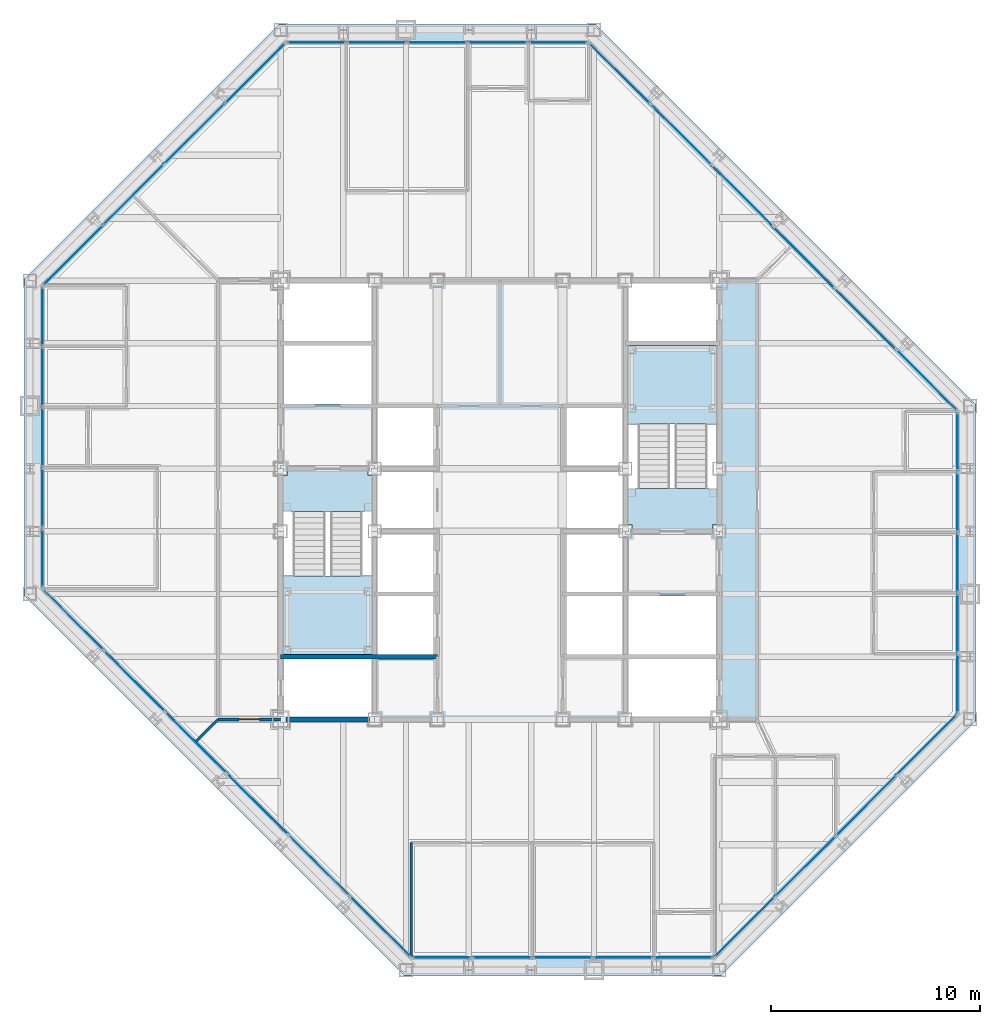
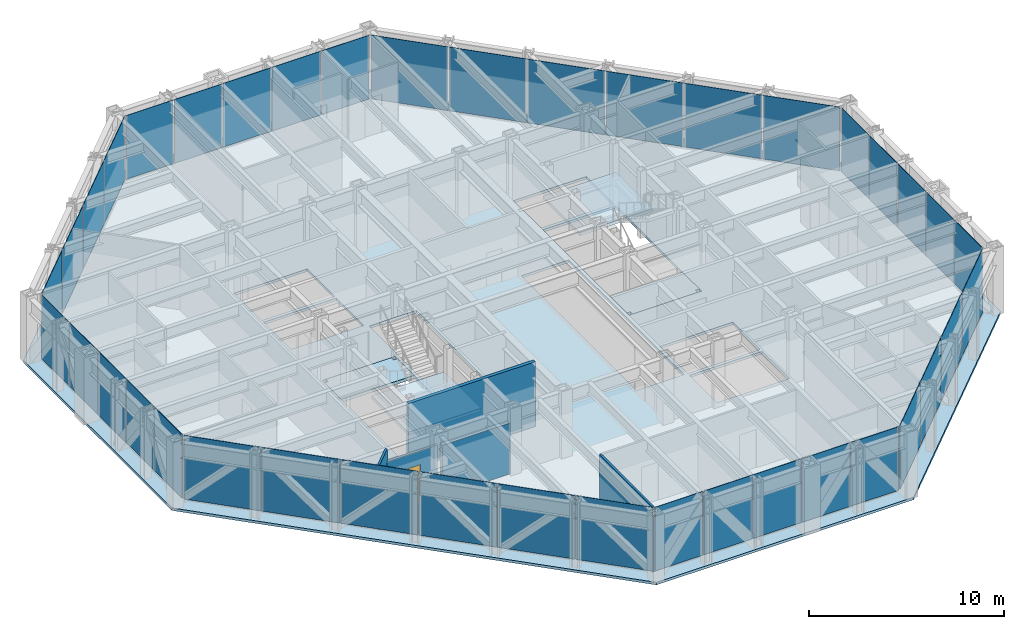
# One storey, part 10 of 16: 40 plates, 5 slabs, 5 walls, 1 door, 1 opening, 10 elements without a shape of their own.
"""IFC4 building model written with IfcOpenShell, lengths in metres."""

import ifcopenshell
import ifcopenshell.guid

model = None  # the IFC model being written
_history = None  # IfcOwnerHistory: only IFC2X3 demands one
_inside = {}  # id of a spatial element -> (the spatial element, [elements in it])
_under = {}  # id of a project, library or spatial element -> (it, [spatial elements below it])
_declared = {}  # id of a project -> (the project, [libraries it declares])
_typed = {}  # id of a type object -> (the type object, [elements of that type])
_made_of = {}  # id of a material, layer set ... -> (it, [elements and type objects made of it])


def new_model(schema):
    """Start an empty IFC model of exactly this schema.

    Asked for "IFC4X3", IfcOpenShell would pick the latest addendum, in which some entities
    have other attributes; the version numbers below select the first issue.
    IFC2X3 requires an IfcOwnerHistory on every rooted entity: one is made here for all.
    """
    global model, _history
    if schema == "IFC4X3":
        model = ifcopenshell.file(schema_version=(4, 3, 0, 0))
    else:
        model = ifcopenshell.file(schema=schema)
    _inside.clear()
    _under.clear()
    _declared.clear()
    _typed.clear()
    _made_of.clear()
    _history = None
    if model.schema == "IFC2X3":
        org = make("IfcOrganization", Name="unknown")
        user = make(
            "IfcPersonAndOrganization",
            ThePerson=make("IfcPerson", FamilyName="unknown"),
            TheOrganization=org,
        )
        app = make(
            "IfcApplication",
            ApplicationDeveloper=org,
            Version="unknown",
            ApplicationFullName="unknown",
            ApplicationIdentifier="unknown",
        )
        _history = make(
            "IfcOwnerHistory",
            OwningUser=user,
            OwningApplication=app,
            ChangeAction="ADDED",
            CreationDate=0,
        )
    return model


def make(cls, **values):
    """One entity of the class cls with the attributes given. An attribute that is None is left unset."""
    return model.create_entity(
        cls, **{name: value for name, value in values.items() if value is not None}
    )


def rooted(cls, **values):
    """An entity with a GlobalId (a new one), such as an element, a storey or a relation."""
    return make(cls, GlobalId=ifcopenshell.guid.new(), OwnerHistory=_history, **values)


def si_unit(unit_type, name, prefix=None):
    """IfcSIUnit, for example si_unit("LENGTHUNIT", "METRE", prefix="MILLI")."""
    return make("IfcSIUnit", UnitType=unit_type, Prefix=prefix, Name=name)


def assignment(units):
    """IfcUnitAssignment: the units of a project."""
    return None if units is None else make("IfcUnitAssignment", Units=units)


def point(xyz):
    """IfcCartesianPoint."""
    return None if xyz is None else make("IfcCartesianPoint", Coordinates=xyz)


def direction(xyz):
    """IfcDirection."""
    return None if xyz is None else make("IfcDirection", DirectionRatios=xyz)


def frame(location, z_axis=None, x_axis=None):
    """IfcAxis2Placement3D, a coordinate frame: its origin and axes. An axis left out is left unset."""
    return make(
        "IfcAxis2Placement3D",
        Location=point(location),
        Axis=direction(z_axis),
        RefDirection=direction(x_axis),
    )


def frame_2d(location, x_axis=None):
    """IfcAxis2Placement2D, a coordinate frame in the plane: its origin and x axis."""
    return make(
        "IfcAxis2Placement2D", Location=point(location), RefDirection=direction(x_axis)
    )


def origin():
    """The frame at (0, 0, 0) with its axes left unset."""
    return frame((0.0, 0.0, 0.0))


def origin_2d():
    """The frame at (0, 0) in the plane with its x axis left unset."""
    return frame_2d((0.0, 0.0))


def place(relative_to, where):
    """IfcLocalPlacement: puts the frame where relative to a parent placement (None: the world)."""
    return make(
        "IfcLocalPlacement", PlacementRelTo=relative_to, RelativePlacement=where
    )


def context(
    kind, dimensions, precision=None, world=None, true_north=None, identifier=None
):
    """IfcGeometricRepresentationContext, for example the 3D "Model" context."""
    return make(
        "IfcGeometricRepresentationContext",
        ContextIdentifier=identifier,
        ContextType=kind,
        CoordinateSpaceDimension=dimensions,
        Precision=precision,
        WorldCoordinateSystem=world,
        TrueNorth=true_north,
    )


def subcontext(parent, identifier, kind, view, scale=None):
    """IfcGeometricRepresentationSubContext, for example "Body" below "Model"."""
    return make(
        "IfcGeometricRepresentationSubContext",
        ContextIdentifier=identifier,
        ContextType=kind,
        ParentContext=parent,
        TargetScale=scale,
        TargetView=view,
    )


def project(units=None, contexts=None):
    """IfcProject with its units and contexts."""
    return rooted(
        "IfcProject",
        Name="project",
        RepresentationContexts=contexts,
        UnitsInContext=assignment(units),
    )


def spatial(cls, under=None, at=None, **own):
    """A site, building, storey or space (cls), placed at a placement, below another one or the project."""
    s = rooted(cls, ObjectPlacement=at, **own)
    if under is not None:
        _under.setdefault(under.id(), (under, []))[1].append(s)
    return s


def polyline(points):
    """IfcPolyline through the points."""
    return make("IfcPolyline", Points=[point(p) for p in points])


def profile(cls, at=None, kind="AREA", **sizes):
    """A parametric profile (cls). Its sizes go by their IFC names, for example OverallWidth=200.0."""
    return make(cls, ProfileType=kind, Position=at, **sizes)


def rectangle(**sizes):
    """IfcRectangleProfileDef."""
    return profile("IfcRectangleProfileDef", **sizes)


def outline(outer, holes=None, kind="AREA"):
    """IfcArbitraryClosedProfileDef: a profile drawn as a closed curve; with holes, ...WithVoids."""
    if holes is None:
        return make("IfcArbitraryClosedProfileDef", ProfileType=kind, OuterCurve=outer)
    return make(
        "IfcArbitraryProfileDefWithVoids",
        ProfileType=kind,
        OuterCurve=outer,
        InnerCurves=holes,
    )


def extrude(swept, where, along, depth):
    """IfcExtrudedAreaSolid: the profile swept, set in the frame where, extruded along a direction by depth."""
    return make(
        "IfcExtrudedAreaSolid",
        SweptArea=swept,
        Position=where,
        ExtrudedDirection=direction(along),
        Depth=depth,
    )


def shape(context_of_items, identifier, shape_type, items):
    """IfcShapeRepresentation: the items that make up one representation, for example the "Body"."""
    return make(
        "IfcShapeRepresentation",
        ContextOfItems=context_of_items,
        RepresentationIdentifier=identifier,
        RepresentationType=shape_type,
        Items=items,
    )


def material(Name=None, Category=None):
    """IfcMaterial."""
    return make("IfcMaterial", Name=Name, Category=Category)


def layer(
    of_material, thickness, ventilated=None, Name=None, Category=None, Priority=None
):
    """IfcMaterialLayer: one layer of a wall or slab, of a material (None: an air gap)."""
    return make(
        "IfcMaterialLayer",
        Material=of_material,
        LayerThickness=thickness,
        IsVentilated=ventilated,
        Name=Name,
        Category=Category,
        Priority=Priority,
    )


def layer_set(layers, Name=None):
    """IfcMaterialLayerSet."""
    return make("IfcMaterialLayerSet", MaterialLayers=layers, LayerSetName=Name)


def made_of(thing, what):
    """Note that an element or type object is made of a material, layer set ...; save() writes the relation."""
    if what is not None:
        _made_of.setdefault(what.id(), (what, []))[1].append(thing)
    return thing


def type_object(cls, material=None, **own):
    """A type object (cls), such as IfcWallType, which elements share."""
    return made_of(rooted(cls, **own), material)


def element(
    cls,
    number,
    at=None,
    inside=None,
    cuts=None,
    type_object=None,
    material=None,
    context=None,
    identifier="Body",
    shape_type=None,
    held_by="IfcProductDefinitionShape",
    body=None,
    shapes=None,
    **own,
):
    """One element of the class cls, such as IfcWall. Its Tag is "e" and its number.

    at: its placement. inside: the storey or other place that contains it. cuts: it is an
    opening in that element (IfcRelVoidsElement). A single representation is given by context,
    identifier, shape_type and body (its items); several are given by shapes. held_by: the class
    of the entity that holds the representations. save() writes the other relations.
    """
    e = rooted(cls, Tag="e%d" % number, ObjectPlacement=at, **own)
    if body is not None:
        shapes = [shape(context, identifier, shape_type, body)]
    if shapes is not None:
        e.Representation = make(held_by, Representations=shapes)
    if inside is not None:
        _inside.setdefault(inside.id(), (inside, []))[1].append(e)
    if cuts is not None:
        rooted(
            "IfcRelVoidsElement", RelatingBuildingElement=cuts, RelatedOpeningElement=e
        )
    if type_object is not None:
        _typed.setdefault(type_object.id(), (type_object, []))[1].append(e)
    return made_of(e, material)


def fill(opening, filler):
    """IfcRelFillsElement: the door or window that sits in an opening."""
    return rooted(
        "IfcRelFillsElement",
        RelatingOpeningElement=opening,
        RelatedBuildingElement=filler,
    )


def aggregate(whole, parts):
    """IfcRelAggregates: a whole, such as a stair, and the parts it consists of."""
    return rooted("IfcRelAggregates", RelatingObject=whole, RelatedObjects=parts)


def save(model, path):
    """Write the relations noted so far, then the file.

    IfcRelAggregates (storeys below a building ...), IfcRelContainedInSpatialStructure (elements
    in a storey), IfcRelDefinesByType, IfcRelAssociatesMaterial and IfcRelDeclares: one each for
    every whole, place, type object, material and project.
    """
    for whole, parts in _under.values():
        aggregate(whole, parts)
    for where, things in _inside.values():
        rooted(
            "IfcRelContainedInSpatialStructure",
            RelatedElements=things,
            RelatingStructure=where,
        )
    for kind, things in _typed.values():
        rooted("IfcRelDefinesByType", RelatedObjects=things, RelatingType=kind)
    for what, things in _made_of.values():
        rooted("IfcRelAssociatesMaterial", RelatedObjects=things, RelatingMaterial=what)
    for by, libraries in _declared.values():
        rooted("IfcRelDeclares", RelatingContext=by, RelatedDefinitions=libraries)
    model.write(path)


model = new_model("IFC4")

# Units and contexts
model_context = context("Model", 3, precision=1e-05, world=origin(), true_north=direction((0.0, 1.0)))
body_context = subcontext(model_context, "Body", "Model", "MODEL_VIEW")
ifc_project = project(units=[si_unit("LENGTHUNIT", "METRE"), si_unit("AREAUNIT", "SQUARE_METRE"), si_unit("VOLUMEUNIT", "CUBIC_METRE"), si_unit("PLANEANGLEUNIT", "RADIAN"), si_unit("MASSUNIT", "GRAM", prefix="KILO")], contexts=[model_context])

# Site, building, storey
site_placement = place(None, origin())
site = spatial("IfcSite", under=ifc_project, at=site_placement, CompositionType="ELEMENT")
building_placement = place(site_placement, origin())
building = spatial("IfcBuilding", under=site, at=building_placement, Name="Chuquiago Exchange Tower", CompositionType="ELEMENT")
storey_placement = place(building_placement, frame((0.0, 0.0, 213.89990234375)))
storey = spatial("IfcBuildingStorey", under=building, at=storey_placement, Name="L47", CompositionType="ELEMENT", Elevation=213.89990234375)

# Curtain wall, plate
ifc_material_1 = material(Name="Aluminium curtain wall system", Category="aluminium")
ifc_layer_1 = layer(ifc_material_1, 0.22509765625)
ifc_layer_set_1 = layer_set([ifc_layer_1], Name="CW2 office curtain wall")
curtain_wall_type_1 = type_object("IfcCurtainWallType", Name="CW2 office curtain wall", PredefinedType="NOTDEFINED", material=ifc_layer_set_1)
curtain_wall_1_placement = place(storey_placement, origin())
curtain_wall_1 = element("IfcCurtainWall", 1, at=curtain_wall_1_placement, inside=storey, type_object=curtain_wall_type_1, Name="CW2 curtain wall L47", PredefinedType="NOTDEFINED")
ifc_material_2 = material(Name="Glass, insulating unit", Category="glass")
ifc_layer_2 = layer(ifc_material_2, 0.030029296875)
ifc_layer_set_2 = layer_set([ifc_layer_2], Name="CW2-P panel 30")
plate_type_1 = type_object("IfcPlateType", Name="CW2-P panel 30", PredefinedType="CURTAIN_PANEL", material=ifc_layer_set_2)
plate_1_placement = place(storey_placement, frame((25.5, 0.60009765625, 0.06494140625), z_axis=(0.0, 0.0, 1.0), x_axis=(1.0, 0.0, 0.0)))
plate_1 = element("IfcPlate", 2, at=plate_1_placement, type_object=plate_type_1, Name="CW2 panel 3.1", PredefinedType="CURTAIN_PANEL", context=body_context, shape_type="SweptSolid", body=[
    extrude(rectangle(XDim=2.835693359375, YDim=0.030029296875, at=origin_2d()), origin(), (0.0, 0.0, 1.0), 3.97509765625),
])

curtain_wall_2_placement = place(storey_placement, origin())
curtain_wall_2 = element("IfcCurtainWall", 3, at=curtain_wall_2_placement, inside=storey, type_object=curtain_wall_type_1, Name="CW2 curtain wall L47", PredefinedType="NOTDEFINED")
plate_2_placement = place(storey_placement, frame((44.39990234375, 19.5, 0.06494140625), z_axis=(0.0, 0.0, 1.0), x_axis=(0.0, 1.0, 0.0)))
plate_2 = element("IfcPlate", 4, at=plate_2_placement, type_object=plate_type_1, Name="CW2 panel 3.1", PredefinedType="CURTAIN_PANEL", context=body_context, shape_type="SweptSolid", body=[
    extrude(rectangle(XDim=2.835693359375, YDim=0.030029296875, at=origin_2d()), origin(), (0.0, 0.0, 1.0), 3.97509765625),
])

curtain_wall_3_placement = place(storey_placement, origin())
curtain_wall_3 = element("IfcCurtainWall", 5, at=curtain_wall_3_placement, inside=storey, type_object=curtain_wall_type_1, Name="CW2 curtain wall L47", PredefinedType="NOTDEFINED")
plate_3_placement = place(storey_placement, frame((19.5, 44.39990234375, 0.06494140625), z_axis=(0.0, 0.0, 1.0), x_axis=(-1.0, 0.0, 0.0)))
plate_3 = element("IfcPlate", 6, at=plate_3_placement, type_object=plate_type_1, Name="CW2 panel 3.1", PredefinedType="CURTAIN_PANEL", context=body_context, shape_type="SweptSolid", body=[
    extrude(rectangle(XDim=2.835693359375, YDim=0.030029296875, at=origin_2d()), origin(), (0.0, 0.0, 1.0), 3.97509765625),
])

curtain_wall_4_placement = place(storey_placement, origin())
curtain_wall_4 = element("IfcCurtainWall", 7, at=curtain_wall_4_placement, inside=storey, type_object=curtain_wall_type_1, Name="CW2 curtain wall L47", PredefinedType="NOTDEFINED")
plate_4_placement = place(storey_placement, frame((0.60009765625, 25.5, 0.06494140625), z_axis=(0.0, 0.0, 1.0), x_axis=(0.0, -1.0, 0.0)))
plate_4 = element("IfcPlate", 8, at=plate_4_placement, type_object=plate_type_1, Name="CW2 panel 3.1", PredefinedType="CURTAIN_PANEL", context=body_context, shape_type="SweptSolid", body=[
    extrude(rectangle(XDim=2.835693359375, YDim=0.030029296875, at=origin_2d()), origin(), (0.0, 0.0, 1.0), 3.97509765625),
])

# Plate
ifc_material_3 = material(Name="Insulated spandrel panel, pale anodised aluminium", Category="aluminium")
ifc_layer_3 = layer(ifc_material_3, 0.030029296875)
ifc_layer_set_3 = layer_set([ifc_layer_3], Name="CW2-P spandrel panel 30")
plate_type_2 = type_object("IfcPlateType", Name="CW2-P spandrel panel 30", PredefinedType="CURTAIN_PANEL", material=ifc_layer_set_3)
plate_5_placement = place(storey_placement, frame((19.715087890625, 0.60009765625, 0.06494140625), z_axis=(0.0, 0.0, 1.0), x_axis=(1.0, 0.0, 0.0)))
plate_5 = element("IfcPlate", 9, at=plate_5_placement, type_object=plate_type_2, Name="CW2 panel 1.1", PredefinedType="CURTAIN_PANEL", context=body_context, shape_type="SweptSolid", body=[
    extrude(rectangle(XDim=2.802978515625, YDim=0.030029296875, at=origin_2d()), origin(), (0.0, 0.0, 1.0), 3.97509765625),
])

plate_6_placement = place(storey_placement, frame((22.599365234375, 0.60009765625, 0.06494140625), z_axis=(0.0, 0.0, 1.0), x_axis=(1.0, 0.0, 0.0)))
plate_6 = element("IfcPlate", 10, at=plate_6_placement, type_object=plate_type_2, Name="CW2 panel 2.1", PredefinedType="CURTAIN_PANEL", context=body_context, shape_type="SweptSolid", body=[
    extrude(rectangle(XDim=2.835693359375, YDim=0.030029296875, at=origin_2d()), origin(), (0.0, 0.0, 1.0), 3.97509765625),
])

plate_7_placement = place(storey_placement, frame((28.400634765625, 0.60009765625, 0.06494140625), z_axis=(0.0, 0.0, 1.0), x_axis=(1.0, 0.0, 0.0)))
plate_7 = element("IfcPlate", 11, at=plate_7_placement, type_object=plate_type_2, Name="CW2 panel 4.1", PredefinedType="CURTAIN_PANEL", context=body_context, shape_type="SweptSolid", body=[
    extrude(rectangle(XDim=2.835693359375, YDim=0.030029296875, at=origin_2d()), origin(), (0.0, 0.0, 1.0), 3.97509765625),
])

plate_8_placement = place(storey_placement, frame((31.284912109375, 0.60009765625, 0.06494140625), z_axis=(0.0, 0.0, 1.0), x_axis=(1.0, 0.0, 0.0)))
plate_8 = element("IfcPlate", 12, at=plate_8_placement, type_object=plate_type_2, Name="CW2 panel 5.1", PredefinedType="CURTAIN_PANEL", context=body_context, shape_type="SweptSolid", body=[
    extrude(rectangle(XDim=2.802978515625, YDim=0.030029296875, at=origin_2d()), origin(), (0.0, 0.0, 1.0), 3.97509765625),
])

aggregate(curtain_wall_1, [plate_5, plate_6, plate_1, plate_7, plate_8])

plate_9_placement = place(storey_placement, frame((44.39990234375, 13.715087890625, 0.06494140625), z_axis=(0.0, 0.0, 1.0), x_axis=(0.0, 1.0, 0.0)))
plate_9 = element("IfcPlate", 13, at=plate_9_placement, type_object=plate_type_2, Name="CW2 panel 1.1", PredefinedType="CURTAIN_PANEL", context=body_context, shape_type="SweptSolid", body=[
    extrude(rectangle(XDim=2.802978515625, YDim=0.030029296875, at=origin_2d()), origin(), (0.0, 0.0, 1.0), 3.97509765625),
])

plate_10_placement = place(storey_placement, frame((44.39990234375, 16.599365234375, 0.06494140625), z_axis=(0.0, 0.0, 1.0), x_axis=(0.0, 1.0, 0.0)))
plate_10 = element("IfcPlate", 14, at=plate_10_placement, type_object=plate_type_2, Name="CW2 panel 2.1", PredefinedType="CURTAIN_PANEL", context=body_context, shape_type="SweptSolid", body=[
    extrude(rectangle(XDim=2.835693359375, YDim=0.030029296875, at=origin_2d()), origin(), (0.0, 0.0, 1.0), 3.97509765625),
])

plate_11_placement = place(storey_placement, frame((44.39990234375, 22.400634765625, 0.06494140625), z_axis=(0.0, 0.0, 1.0), x_axis=(0.0, 1.0, 0.0)))
plate_11 = element("IfcPlate", 15, at=plate_11_placement, type_object=plate_type_2, Name="CW2 panel 4.1", PredefinedType="CURTAIN_PANEL", context=body_context, shape_type="SweptSolid", body=[
    extrude(rectangle(XDim=2.835693359375, YDim=0.030029296875, at=origin_2d()), origin(), (0.0, 0.0, 1.0), 3.97509765625),
])

plate_12_placement = place(storey_placement, frame((44.39990234375, 25.284912109375, 0.06494140625), z_axis=(0.0, 0.0, 1.0), x_axis=(0.0, 1.0, 0.0)))
plate_12 = element("IfcPlate", 16, at=plate_12_placement, type_object=plate_type_2, Name="CW2 panel 5.1", PredefinedType="CURTAIN_PANEL", context=body_context, shape_type="SweptSolid", body=[
    extrude(rectangle(XDim=2.802978515625, YDim=0.030029296875, at=origin_2d()), origin(), (0.0, 0.0, 1.0), 3.97509765625),
])

aggregate(curtain_wall_2, [plate_9, plate_10, plate_2, plate_11, plate_12])

plate_13_placement = place(storey_placement, frame((25.284912109375, 44.39990234375, 0.06494140625), z_axis=(0.0, 0.0, 1.0), x_axis=(-1.0, 0.0, 0.0)))
plate_13 = element("IfcPlate", 17, at=plate_13_placement, type_object=plate_type_2, Name="CW2 panel 1.1", PredefinedType="CURTAIN_PANEL", context=body_context, shape_type="SweptSolid", body=[
    extrude(rectangle(XDim=2.802978515625, YDim=0.030029296875, at=origin_2d()), origin(), (0.0, 0.0, 1.0), 3.97509765625),
])

plate_14_placement = place(storey_placement, frame((22.400634765625, 44.39990234375, 0.06494140625), z_axis=(0.0, 0.0, 1.0), x_axis=(-1.0, 0.0, 0.0)))
plate_14 = element("IfcPlate", 18, at=plate_14_placement, type_object=plate_type_2, Name="CW2 panel 2.1", PredefinedType="CURTAIN_PANEL", context=body_context, shape_type="SweptSolid", body=[
    extrude(rectangle(XDim=2.835693359375, YDim=0.030029296875, at=origin_2d()), origin(), (0.0, 0.0, 1.0), 3.97509765625),
])

plate_15_placement = place(storey_placement, frame((16.599365234375, 44.39990234375, 0.06494140625), z_axis=(0.0, 0.0, 1.0), x_axis=(-1.0, 0.0, 0.0)))
plate_15 = element("IfcPlate", 19, at=plate_15_placement, type_object=plate_type_2, Name="CW2 panel 4.1", PredefinedType="CURTAIN_PANEL", context=body_context, shape_type="SweptSolid", body=[
    extrude(rectangle(XDim=2.835693359375, YDim=0.030029296875, at=origin_2d()), origin(), (0.0, 0.0, 1.0), 3.97509765625),
])

plate_16_placement = place(storey_placement, frame((13.715087890625, 44.39990234375, 0.06494140625), z_axis=(0.0, 0.0, 1.0), x_axis=(-1.0, 0.0, 0.0)))
plate_16 = element("IfcPlate", 20, at=plate_16_placement, type_object=plate_type_2, Name="CW2 panel 5.1", PredefinedType="CURTAIN_PANEL", context=body_context, shape_type="SweptSolid", body=[
    extrude(rectangle(XDim=2.802978515625, YDim=0.030029296875, at=origin_2d()), origin(), (0.0, 0.0, 1.0), 3.97509765625),
])

aggregate(curtain_wall_3, [plate_13, plate_14, plate_3, plate_15, plate_16])

plate_17_placement = place(storey_placement, frame((0.60009765625, 31.284912109375, 0.06494140625), z_axis=(0.0, 0.0, 1.0), x_axis=(0.0, -1.0, 0.0)))
plate_17 = element("IfcPlate", 21, at=plate_17_placement, type_object=plate_type_2, Name="CW2 panel 1.1", PredefinedType="CURTAIN_PANEL", context=body_context, shape_type="SweptSolid", body=[
    extrude(rectangle(XDim=2.802978515625, YDim=0.030029296875, at=origin_2d()), origin(), (0.0, 0.0, 1.0), 3.97509765625),
])

plate_18_placement = place(storey_placement, frame((0.60009765625, 28.400634765625, 0.06494140625), z_axis=(0.0, 0.0, 1.0), x_axis=(0.0, -1.0, 0.0)))
plate_18 = element("IfcPlate", 22, at=plate_18_placement, type_object=plate_type_2, Name="CW2 panel 2.1", PredefinedType="CURTAIN_PANEL", context=body_context, shape_type="SweptSolid", body=[
    extrude(rectangle(XDim=2.835693359375, YDim=0.030029296875, at=origin_2d()), origin(), (0.0, 0.0, 1.0), 3.97509765625),
])

plate_19_placement = place(storey_placement, frame((0.60009765625, 22.599365234375, 0.06494140625), z_axis=(0.0, 0.0, 1.0), x_axis=(0.0, -1.0, 0.0)))
plate_19 = element("IfcPlate", 23, at=plate_19_placement, type_object=plate_type_2, Name="CW2 panel 4.1", PredefinedType="CURTAIN_PANEL", context=body_context, shape_type="SweptSolid", body=[
    extrude(rectangle(XDim=2.835693359375, YDim=0.030029296875, at=origin_2d()), origin(), (0.0, 0.0, 1.0), 3.97509765625),
])

plate_20_placement = place(storey_placement, frame((0.60009765625, 19.715087890625, 0.06494140625), z_axis=(0.0, 0.0, 1.0), x_axis=(0.0, -1.0, 0.0)))
plate_20 = element("IfcPlate", 24, at=plate_20_placement, type_object=plate_type_2, Name="CW2 panel 5.1", PredefinedType="CURTAIN_PANEL", context=body_context, shape_type="SweptSolid", body=[
    extrude(rectangle(XDim=2.802978515625, YDim=0.030029296875, at=origin_2d()), origin(), (0.0, 0.0, 1.0), 3.97509765625),
])

aggregate(curtain_wall_4, [plate_17, plate_18, plate_4, plate_19, plate_20])

# Curtain wall, plates
ifc_material_4 = material(Name="Aluminium curtain wall system", Category="aluminium")
ifc_layer_4 = layer(ifc_material_4, 0.199951171875)
ifc_layer_set_4 = layer_set([ifc_layer_4], Name="CW3 facet curtain wall")
curtain_wall_type_2 = type_object("IfcCurtainWallType", Name="CW3 facet curtain wall", PredefinedType="NOTDEFINED", material=ifc_layer_set_4)
curtain_wall_5_placement = place(storey_placement, origin())
curtain_wall_5 = element("IfcCurtainWall", 25, at=curtain_wall_5_placement, inside=storey, type_object=curtain_wall_type_2, Name="CW3 curtain wall L47", PredefinedType="NOTDEFINED")
ifc_material_5 = material(Name="Insulated spandrel panel, pale anodised aluminium", Category="aluminium")
ifc_layer_5 = layer(ifc_material_5, 0.030029296875)
ifc_layer_set_5 = layer_set([ifc_layer_5], Name="CW3-P spandrel panel 30")
plate_type_3 = type_object("IfcPlateType", Name="CW3-P spandrel panel 30", PredefinedType="CURTAIN_PANEL", material=ifc_layer_set_5)
plate_21_placement = place(storey_placement, frame((34.218994140625, 2.067626953125, 0.06494140625), z_axis=(0.0, 0.0, 1.0), x_axis=(0.707106781187, 0.707106781187, 0.0)))
plate_21 = element("IfcPlate", 26, at=plate_21_placement, type_object=plate_type_3, Name="CW3 panel 1.1", PredefinedType="CURTAIN_PANEL", context=body_context, shape_type="SweptSolid", body=[
    extrude(rectangle(XDim=4.020751953125, YDim=0.030029296875, at=origin_2d()), origin(), (0.0, 0.0, 1.0), 3.97509765625),
])
plate_22_placement = place(storey_placement, frame((37.11962890625, 4.96826171875, 0.06494140625), z_axis=(0.0, 0.0, 1.0), x_axis=(0.707106781187, 0.707106781187, 0.0)))
plate_22 = element("IfcPlate", 27, at=plate_22_placement, type_object=plate_type_3, Name="CW3 panel 2.1", PredefinedType="CURTAIN_PANEL", context=body_context, shape_type="SweptSolid", body=[
    extrude(rectangle(XDim=4.053466796875, YDim=0.030029296875, at=origin_2d()), origin(), (0.0, 0.0, 1.0), 3.97509765625),
])
plate_23_placement = place(storey_placement, frame((40.03173828125, 7.88037109375, 0.06494140625), z_axis=(0.0, 0.0, 1.0), x_axis=(0.707106781187, 0.707106781187, 0.0)))
plate_23 = element("IfcPlate", 28, at=plate_23_placement, type_object=plate_type_3, Name="CW3 panel 3.1", PredefinedType="CURTAIN_PANEL", context=body_context, shape_type="SweptSolid", body=[
    extrude(rectangle(XDim=4.053466796875, YDim=0.030029296875, at=origin_2d()), origin(), (0.0, 0.0, 1.0), 3.97509765625),
])
plate_24_placement = place(storey_placement, frame((42.932373046875, 10.781005859375, 0.06494140625), z_axis=(0.0, 0.0, 1.0), x_axis=(0.707106781187, 0.707106781187, 0.0)))
plate_24 = element("IfcPlate", 29, at=plate_24_placement, type_object=plate_type_3, Name="CW3 panel 4.1", PredefinedType="CURTAIN_PANEL", context=body_context, shape_type="SweptSolid", body=[
    extrude(rectangle(XDim=4.020751953125, YDim=0.030029296875, at=origin_2d()), origin(), (0.0, 0.0, 1.0), 3.97509765625),
])
aggregate(curtain_wall_5, [plate_21, plate_22, plate_23, plate_24])

curtain_wall_6_placement = place(storey_placement, origin())
curtain_wall_6 = element("IfcCurtainWall", 30, at=curtain_wall_6_placement, inside=storey, type_object=curtain_wall_type_2, Name="CW3 curtain wall L47", PredefinedType="NOTDEFINED")
plate_25_placement = place(storey_placement, frame((42.917724609375, 28.233642578125, 0.06494140625), z_axis=(0.0, 0.0, 1.0), x_axis=(-0.707106781187, 0.707106781187, 0.0)))
plate_25 = element("IfcPlate", 31, at=plate_25_placement, type_object=plate_type_3, Name="CW3 panel 1.1", PredefinedType="CURTAIN_PANEL", context=body_context, shape_type="SweptSolid", body=[
    extrude(rectangle(XDim=4.062255859375, YDim=0.030029296875, at=origin_2d()), origin(), (0.0, 0.0, 1.0), 3.97509765625),
])
plate_26_placement = place(storey_placement, frame((39.98779296875, 31.16357421875, 0.06494140625), z_axis=(0.0, 0.0, 1.0), x_axis=(-0.707106781187, 0.707106781187, 0.0)))
plate_26 = element("IfcPlate", 32, at=plate_26_placement, type_object=plate_type_3, Name="CW3 panel 2.1", PredefinedType="CURTAIN_PANEL", context=body_context, shape_type="SweptSolid", body=[
    extrude(rectangle(XDim=4.0947265625, YDim=0.030029296875, at=origin_2d()), origin(), (0.0, 0.0, 1.0), 3.97509765625),
])
plate_27_placement = place(storey_placement, frame((37.04638671875, 34.10498046875, 0.06494140625), z_axis=(0.0, 0.0, 1.0), x_axis=(-0.707106781187, 0.707106781187, 0.0)))
plate_27 = element("IfcPlate", 33, at=plate_27_placement, type_object=plate_type_3, Name="CW3 panel 3.1", PredefinedType="CURTAIN_PANEL", context=body_context, shape_type="SweptSolid", body=[
    extrude(rectangle(XDim=4.0947265625, YDim=0.030029296875, at=origin_2d()), origin(), (0.0, 0.0, 1.0), 3.97509765625),
])
plate_28_placement = place(storey_placement, frame((34.10498046875, 37.04638671875, 0.06494140625), z_axis=(0.0, 0.0, 1.0), x_axis=(-0.707106781187, 0.707106781187, 0.0)))
plate_28 = element("IfcPlate", 34, at=plate_28_placement, type_object=plate_type_3, Name="CW3 panel 4.1", PredefinedType="CURTAIN_PANEL", context=body_context, shape_type="SweptSolid", body=[
    extrude(rectangle(XDim=4.0947265625, YDim=0.030029296875, at=origin_2d()), origin(), (0.0, 0.0, 1.0), 3.97509765625),
])
plate_29_placement = place(storey_placement, frame((31.16357421875, 39.98779296875, 0.06494140625), z_axis=(0.0, 0.0, 1.0), x_axis=(-0.707106781187, 0.707106781187, 0.0)))
plate_29 = element("IfcPlate", 35, at=plate_29_placement, type_object=plate_type_3, Name="CW3 panel 5.1", PredefinedType="CURTAIN_PANEL", context=body_context, shape_type="SweptSolid", body=[
    extrude(rectangle(XDim=4.0947265625, YDim=0.030029296875, at=origin_2d()), origin(), (0.0, 0.0, 1.0), 3.97509765625),
])
plate_30_placement = place(storey_placement, frame((28.233642578125, 42.917724609375, 0.06494140625), z_axis=(0.0, 0.0, 1.0), x_axis=(-0.707106781187, 0.707106781187, 0.0)))
plate_30 = element("IfcPlate", 36, at=plate_30_placement, type_object=plate_type_3, Name="CW3 panel 6.1", PredefinedType="CURTAIN_PANEL", context=body_context, shape_type="SweptSolid", body=[
    extrude(rectangle(XDim=4.062255859375, YDim=0.030029296875, at=origin_2d()), origin(), (0.0, 0.0, 1.0), 3.97509765625),
])
aggregate(curtain_wall_6, [plate_25, plate_26, plate_27, plate_28, plate_29, plate_30])

curtain_wall_7_placement = place(storey_placement, origin())
curtain_wall_7 = element("IfcCurtainWall", 37, at=curtain_wall_7_placement, inside=storey, type_object=curtain_wall_type_2, Name="CW3 curtain wall L47", PredefinedType="NOTDEFINED")
plate_31_placement = place(storey_placement, frame((10.781005859375, 42.932373046875, 0.06494140625), z_axis=(0.0, 0.0, 1.0), x_axis=(-0.707106781187, -0.707106781187, 0.0)))
plate_31 = element("IfcPlate", 38, at=plate_31_placement, type_object=plate_type_3, Name="CW3 panel 1.1", PredefinedType="CURTAIN_PANEL", context=body_context, shape_type="SweptSolid", body=[
    extrude(rectangle(XDim=4.020751953125, YDim=0.030029296875, at=origin_2d()), origin(), (0.0, 0.0, 1.0), 3.97509765625),
])
plate_32_placement = place(storey_placement, frame((7.88037109375, 40.03173828125, 0.06494140625), z_axis=(0.0, 0.0, 1.0), x_axis=(-0.707106781187, -0.707106781187, 0.0)))
plate_32 = element("IfcPlate", 39, at=plate_32_placement, type_object=plate_type_3, Name="CW3 panel 2.1", PredefinedType="CURTAIN_PANEL", context=body_context, shape_type="SweptSolid", body=[
    extrude(rectangle(XDim=4.053466796875, YDim=0.030029296875, at=origin_2d()), origin(), (0.0, 0.0, 1.0), 3.97509765625),
])
plate_33_placement = place(storey_placement, frame((4.96826171875, 37.11962890625, 0.06494140625), z_axis=(0.0, 0.0, 1.0), x_axis=(-0.707106781187, -0.707106781187, 0.0)))
plate_33 = element("IfcPlate", 40, at=plate_33_placement, type_object=plate_type_3, Name="CW3 panel 3.1", PredefinedType="CURTAIN_PANEL", context=body_context, shape_type="SweptSolid", body=[
    extrude(rectangle(XDim=4.053466796875, YDim=0.030029296875, at=origin_2d()), origin(), (0.0, 0.0, 1.0), 3.97509765625),
])
plate_34_placement = place(storey_placement, frame((2.067626953125, 34.218994140625, 0.06494140625), z_axis=(0.0, 0.0, 1.0), x_axis=(-0.707106781187, -0.707106781187, 0.0)))
plate_34 = element("IfcPlate", 41, at=plate_34_placement, type_object=plate_type_3, Name="CW3 panel 4.1", PredefinedType="CURTAIN_PANEL", context=body_context, shape_type="SweptSolid", body=[
    extrude(rectangle(XDim=4.020751953125, YDim=0.030029296875, at=origin_2d()), origin(), (0.0, 0.0, 1.0), 3.97509765625),
])
aggregate(curtain_wall_7, [plate_31, plate_32, plate_33, plate_34])

curtain_wall_8_placement = place(storey_placement, origin())
curtain_wall_8 = element("IfcCurtainWall", 42, at=curtain_wall_8_placement, inside=storey, type_object=curtain_wall_type_2, Name="CW3 curtain wall L47", PredefinedType="NOTDEFINED")
plate_35_placement = place(storey_placement, frame((2.082275390625, 16.766357421875, 0.06494140625), z_axis=(0.0, 0.0, 1.0), x_axis=(0.707106781187, -0.707106781187, 0.0)))
plate_35 = element("IfcPlate", 43, at=plate_35_placement, type_object=plate_type_3, Name="CW3 panel 1.1", PredefinedType="CURTAIN_PANEL", context=body_context, shape_type="SweptSolid", body=[
    extrude(rectangle(XDim=4.062255859375, YDim=0.030029296875, at=origin_2d()), origin(), (0.0, 0.0, 1.0), 3.97509765625),
])
plate_36_placement = place(storey_placement, frame((5.01220703125, 13.83642578125, 0.06494140625), z_axis=(0.0, 0.0, 1.0), x_axis=(0.707106781187, -0.707106781187, 0.0)))
plate_36 = element("IfcPlate", 44, at=plate_36_placement, type_object=plate_type_3, Name="CW3 panel 2.1", PredefinedType="CURTAIN_PANEL", context=body_context, shape_type="SweptSolid", body=[
    extrude(rectangle(XDim=4.0947265625, YDim=0.030029296875, at=origin_2d()), origin(), (0.0, 0.0, 1.0), 3.97509765625),
])
plate_37_placement = place(storey_placement, frame((7.95361328125, 10.89501953125, 0.06494140625), z_axis=(0.0, 0.0, 1.0), x_axis=(0.707106781187, -0.707106781187, 0.0)))
plate_37 = element("IfcPlate", 45, at=plate_37_placement, type_object=plate_type_3, Name="CW3 panel 3.1", PredefinedType="CURTAIN_PANEL", context=body_context, shape_type="SweptSolid", body=[
    extrude(rectangle(XDim=4.0947265625, YDim=0.030029296875, at=origin_2d()), origin(), (0.0, 0.0, 1.0), 3.97509765625),
])
plate_38_placement = place(storey_placement, frame((10.89501953125, 7.95361328125, 0.06494140625), z_axis=(0.0, 0.0, 1.0), x_axis=(0.707106781187, -0.707106781187, 0.0)))
plate_38 = element("IfcPlate", 46, at=plate_38_placement, type_object=plate_type_3, Name="CW3 panel 4.1", PredefinedType="CURTAIN_PANEL", context=body_context, shape_type="SweptSolid", body=[
    extrude(rectangle(XDim=4.0947265625, YDim=0.030029296875, at=origin_2d()), origin(), (0.0, 0.0, 1.0), 3.97509765625),
])
plate_39_placement = place(storey_placement, frame((13.83642578125, 5.01220703125, 0.06494140625), z_axis=(0.0, 0.0, 1.0), x_axis=(0.707106781187, -0.707106781187, 0.0)))
plate_39 = element("IfcPlate", 47, at=plate_39_placement, type_object=plate_type_3, Name="CW3 panel 5.1", PredefinedType="CURTAIN_PANEL", context=body_context, shape_type="SweptSolid", body=[
    extrude(rectangle(XDim=4.0947265625, YDim=0.030029296875, at=origin_2d()), origin(), (0.0, 0.0, 1.0), 3.97509765625),
])
plate_40_placement = place(storey_placement, frame((16.766357421875, 2.082275390625, 0.06494140625), z_axis=(0.0, 0.0, 1.0), x_axis=(0.707106781187, -0.707106781187, 0.0)))
plate_40 = element("IfcPlate", 48, at=plate_40_placement, type_object=plate_type_3, Name="CW3 panel 6.1", PredefinedType="CURTAIN_PANEL", context=body_context, shape_type="SweptSolid", body=[
    extrude(rectangle(XDim=4.062255859375, YDim=0.030029296875, at=origin_2d()), origin(), (0.0, 0.0, 1.0), 3.97509765625),
])
aggregate(curtain_wall_8, [plate_35, plate_36, plate_37, plate_38, plate_39, plate_40])

# Slab
ifc_material_6 = material(Name="Concrete C30/37", Category="concrete")
ifc_layer_6 = layer(ifc_material_6, 0.159912109375)
ifc_layer_set_6 = layer_set([ifc_layer_6], Name="FS1 composite floor 160")
slab_type_1 = type_object("IfcSlabType", Name="FS1 composite floor 160", PredefinedType="FLOOR", material=ifc_layer_set_6)
slab_1_placement = place(storey_placement, frame((0.0, 0.0, -0.159912109375)))
element("IfcSlab", 49, at=slab_1_placement, inside=storey, type_object=slab_type_1, Name="L47 floor slab", PredefinedType="FLOOR", context=body_context, shape_type="SweptSolid", body=[
    extrude(outline(polyline([(17.896484375, -0.25), (-0.25, 17.896484375), (-0.25, 33.103515625), (11.896484375, 45.25), (27.103515625, 45.25), (45.25, 27.103515625), (45.25, 11.896484375), (33.103515625, -0.25), (17.896484375, -0.25)]), holes=[polyline([(16.39990234375, 15.10009765625), (12.10009765625, 15.10009765625), (12.10009765625, 23.89990234375), (16.39990234375, 23.89990234375), (16.39990234375, 15.10009765625)]), polyline([(32.89990234375, 21.10009765625), (28.60009765625, 21.10009765625), (28.60009765625, 29.89990234375), (32.89990234375, 29.89990234375), (32.89990234375, 21.10009765625)]), polyline([(16.39990234375, 12.10009765625), (12.10009765625, 12.10009765625), (12.10009765625, 14.89990234375), (16.39990234375, 14.89990234375), (16.39990234375, 12.10009765625)]), polyline([(16.39990234375, 30.10009765625), (12.10009765625, 30.10009765625), (12.10009765625, 32.89990234375), (16.39990234375, 32.89990234375), (16.39990234375, 30.10009765625)]), polyline([(32.89990234375, 12.10009765625), (28.60009765625, 12.10009765625), (28.60009765625, 14.89990234375), (32.89990234375, 14.89990234375), (32.89990234375, 12.10009765625)]), polyline([(32.89990234375, 30.10009765625), (28.60009765625, 30.10009765625), (28.60009765625, 32.89990234375), (32.89990234375, 32.89990234375), (32.89990234375, 30.10009765625)]), polyline([(16.39990234375, 27.10009765625), (12.10009765625, 27.10009765625), (12.10009765625, 29.89990234375), (16.39990234375, 29.89990234375), (16.39990234375, 27.10009765625)]), polyline([(32.89990234375, 15.10009765625), (28.60009765625, 15.10009765625), (28.60009765625, 17.89990234375), (32.89990234375, 17.89990234375), (32.89990234375, 15.10009765625)]), polyline([(19.39990234375, 15.10009765625), (16.60009765625, 15.10009765625), (16.60009765625, 26.89990234375), (19.39990234375, 26.89990234375), (19.39990234375, 15.10009765625)]), polyline([(28.39990234375, 15.10009765625), (25.60009765625, 15.10009765625), (25.60009765625, 26.89990234375), (28.39990234375, 26.89990234375), (28.39990234375, 15.10009765625)])]), origin(), (0.0, 0.0, 1.0), 0.159912109375),
])

# Stair, slabs
ifc_material_7 = material(Name="Concrete C30/37, precast", Category="concrete")
stair_type_1 = type_object("IfcStairType", Name="ST1 half-turn stair 4200", PredefinedType="HALF_TURN_STAIR", material=ifc_material_7)
stair_1_placement = place(storey_placement, origin())
stair_1 = element("IfcStair", 50, at=stair_1_placement, inside=storey, type_object=stair_type_1, Name="Stair ST1 L47", PredefinedType="HALF_TURN_STAIR")
ifc_material_8 = material(Name="Concrete C30/37, precast", Category="concrete")
ifc_layer_7 = layer(ifc_material_8, 0.199951171875)
ifc_layer_set_7 = layer_set([ifc_layer_7], Name="ST-L landing 200")
slab_type_2 = type_object("IfcSlabType", Name="ST-L landing 200", PredefinedType="LANDING", material=ifc_layer_set_7)
slab_2_placement = place(storey_placement, frame((0.0, 0.0, -0.199951171875)))
slab_2 = element("IfcSlab", 51, at=slab_2_placement, type_object=slab_type_2, Name="ST1 landing 1", PredefinedType="LANDING", context=body_context, shape_type="SweptSolid", body=[
    extrude(outline(polyline([(12.324951171875, 23.89990234375), (16.175048828125, 23.89990234375), (16.175048828125, 23.675048828125), (16.39990234375, 23.675048828125), (16.39990234375, 21.949951171875), (12.10009765625, 21.949951171875), (12.10009765625, 23.675048828125), (12.324951171875, 23.675048828125), (12.324951171875, 23.89990234375)])), origin(), (0.0, 0.0, 1.0), 0.199951171875),
])
slab_3_placement = place(storey_placement, frame((0.0, 0.0, 1.900146484375)))
slab_3 = element("IfcSlab", 52, at=slab_3_placement, type_object=slab_type_2, Name="ST1 landing 2", PredefinedType="LANDING", context=body_context, shape_type="SweptSolid", body=[
    extrude(outline(polyline([(12.10009765625, 18.8701171875), (16.39990234375, 18.8701171875), (16.39990234375, 15.10009765625), (12.10009765625, 15.10009765625), (12.10009765625, 18.8701171875)])), origin(), (0.0, 0.0, 1.0), 0.199951171875),
])
aggregate(stair_1, [slab_2, slab_3])

ifc_material_9 = material(Name="Concrete C30/37, precast", Category="concrete")
stair_type_2 = type_object("IfcStairType", Name="ST2 half-turn stair 4200", PredefinedType="HALF_TURN_STAIR", material=ifc_material_9)
stair_2_placement = place(storey_placement, origin())
stair_2 = element("IfcStair", 53, at=stair_2_placement, inside=storey, type_object=stair_type_2, Name="Stair ST2 L47", PredefinedType="HALF_TURN_STAIR")
slab_4_placement = place(storey_placement, frame((0.0, 0.0, -0.199951171875)))
slab_4 = element("IfcSlab", 54, at=slab_4_placement, type_object=slab_type_2, Name="ST2 landing 1", PredefinedType="LANDING", context=body_context, shape_type="SweptSolid", body=[
    extrude(outline(polyline([(32.675048828125, 21.324951171875), (32.675048828125, 21.10009765625), (28.824951171875, 21.10009765625), (28.824951171875, 21.324951171875), (28.60009765625, 21.324951171875), (28.60009765625, 23.050048828125), (32.89990234375, 23.050048828125), (32.89990234375, 21.324951171875), (32.675048828125, 21.324951171875)])), origin(), (0.0, 0.0, 1.0), 0.199951171875),
])
slab_5_placement = place(storey_placement, frame((0.0, 0.0, 1.900146484375)))
slab_5 = element("IfcSlab", 55, at=slab_5_placement, type_object=slab_type_2, Name="ST2 landing 2", PredefinedType="LANDING", context=body_context, shape_type="SweptSolid", body=[
    extrude(outline(polyline([(28.60009765625, 29.89990234375), (32.89990234375, 29.89990234375), (32.89990234375, 26.1298828125), (28.60009765625, 26.1298828125), (28.60009765625, 29.89990234375)])), origin(), (0.0, 0.0, 1.0), 0.199951171875),
])
aggregate(stair_2, [slab_4, slab_5])

# Wall
ifc_material_10 = material(Name="Concrete masonry, fully grouted", Category="masonry")
ifc_layer_8 = layer(ifc_material_10, 0.25)
ifc_layer_set_8 = layer_set([ifc_layer_8], Name="W1 core wall 250")
wall_type_1 = type_object("IfcWallType", Name="W1 core wall 250", PredefinedType="SOLIDWALL", material=ifc_layer_set_8)
wall_1_placement = place(storey_placement, frame((12.25, 12.0, 0.0), z_axis=(0.0, 0.0, 1.0), x_axis=(1.0, 0.0, 0.0)))
element("IfcWall", 56, at=wall_1_placement, inside=storey, type_object=wall_type_1, Name="CW-L47-01-0", PredefinedType="SOLIDWALL", context=body_context, shape_type="SweptSolid", body=[
    extrude(rectangle(XDim=4.0, YDim=0.25, at=frame_2d((2.0, 0.0))), origin(), (0.0, 0.0, 1.0), 3.181640625),
])

# Wall, opening, door
ifc_material_11 = material(Name="Gypsum board on steel studs, acoustic insulation", Category="steel")
ifc_layer_9 = layer(ifc_material_11, 0.14990234375)
ifc_layer_set_9 = layer_set([ifc_layer_9], Name="W11 corridor wall 150")
wall_type_2 = type_object("IfcWallType", Name="W11 corridor wall 150", PredefinedType="PARTITIONING", material=ifc_layer_set_9)
wall_2_placement = place(storey_placement, frame((9.0, 12.0, 0.0), z_axis=(0.0, 0.0, 1.0), x_axis=(1.0, 0.0, 0.0)))
wall_2 = element("IfcWall", 57, at=wall_2_placement, inside=storey, type_object=wall_type_2, Name="PW-L47-GWS0", PredefinedType="PARTITIONING", context=body_context, shape_type="SweptSolid", body=[
    extrude(rectangle(XDim=3.0, YDim=0.14990234375, at=frame_2d((1.5, 0.0))), origin(), (0.0, 0.0, 1.0), 3.2705078125),
])
opening_placement = place(wall_2_placement, frame((1.0, 0.0, 0.0)))
opening = element("IfcOpeningElement", 58, at=opening_placement, cuts=wall_2, Name="Opening L47-037", PredefinedType="OPENING", context=body_context, shape_type="SweptSolid", body=[
    extrude(rectangle(XDim=1.0, YDim=2.39990234375, at=frame_2d((0.5, 1.199951171875))), frame((0.0, 0.0849609375, 0.0), z_axis=(0.0, -1.0, 0.0), x_axis=(1.0, 0.0, 0.0)), (0.0, 0.0, 1.0), 0.169921875),
])
ifc_material_12 = material(Name="Timber door, laminate faced", Category="wood")
door_type = type_object("IfcDoorType", Name="D9 room door 1000x2400", OperationType="SINGLE_SWING_LEFT", PredefinedType="DOOR", material=ifc_material_12)
door_placement = place(opening_placement, frame((1.0, 0.0, 0.0), z_axis=(0.0, 0.0, 1.0), x_axis=(-1.0, 0.0, 0.0)))
door = element("IfcDoor", 59, at=door_placement, inside=storey, type_object=door_type, Name="Team area door", OperationType="SINGLE_SWING_LEFT", OverallHeight=2.39990234375, OverallWidth=1.0, PredefinedType="DOOR", context=body_context, shape_type="SweptSolid", body=[
    extrude(rectangle(XDim=1.0, YDim=2.39990234375, at=frame_2d((0.5, 1.199951171875))), frame((0.0, 0.02490234375, 0.0), z_axis=(0.0, -1.0, 0.0), x_axis=(1.0, 0.0, 0.0)), (0.0, 0.0, 1.0), 0.050048828125),
])
fill(opening, door)

# Walls
ifc_material_13 = material(Name="Concrete masonry, fully grouted", Category="masonry")
ifc_layer_10 = layer(ifc_material_13, 0.199951171875)
ifc_layer_set_10 = layer_set([ifc_layer_10], Name="W2 shaft wall 200")
wall_type_3 = type_object("IfcWallType", Name="W2 shaft wall 200", PredefinedType="SOLIDWALL", material=ifc_layer_set_10)
wall_3_placement = place(storey_placement, frame((12.0, 15.0, 0.0), z_axis=(0.0, 0.0, 1.0), x_axis=(1.0, 0.0, 0.0)))
element("IfcWall", 60, at=wall_3_placement, inside=storey, type_object=wall_type_3, Name="CW-L47-03-0", PredefinedType="SOLIDWALL", context=body_context, shape_type="SweptSolid", body=[
    extrude(rectangle(XDim=7.5, YDim=0.199951171875, at=frame_2d((3.75, 0.0))), origin(), (0.0, 0.0, 1.0), 4.0400390625),
])
ifc_material_14 = material(Name="Gypsum board on steel studs", Category="steel")
ifc_layer_11 = layer(ifc_material_14, 0.1201171875)
ifc_layer_set_11 = layer_set([ifc_layer_11], Name="W4 partition 120")
wall_type_4 = type_object("IfcWallType", Name="W4 partition 120", PredefinedType="PARTITIONING", material=ifc_layer_set_11)
wall_4_placement = place(storey_placement, frame((18.24853515625, 0.666015625, 0.0), z_axis=(0.0, 0.0, 1.0), x_axis=(0.0, 1.0, 0.0)))
element("IfcWall", 61, at=wall_4_placement, inside=storey, type_object=wall_type_4, Name="PW-L47-S01825", PredefinedType="PARTITIONING", context=body_context, shape_type="SweptSolid", body=[
    extrude(rectangle(XDim=5.43408203125, YDim=0.1201171875, at=frame_2d((2.717041015625, 0.0))), origin(), (0.0, 0.0, 1.0), 4.0400390625),
])
wall_5_placement = place(storey_placement, frame((9.0, 12.0, 0.0), z_axis=(0.0, 0.0, 1.0), x_axis=(-0.707106781187, -0.707106781187, 0.0)))
element("IfcWall", 62, at=wall_5_placement, inside=storey, type_object=wall_type_4, Name="PW-L47-QSW", PredefinedType="PARTITIONING", context=body_context, shape_type="SweptSolid", body=[
    extrude(rectangle(XDim=1.4892578125, YDim=0.1201171875, at=frame_2d((0.74462890625, 0.0))), origin(), (0.0, 0.0, 1.0), 4.0400390625),
])

save(model, "model.ifc")
